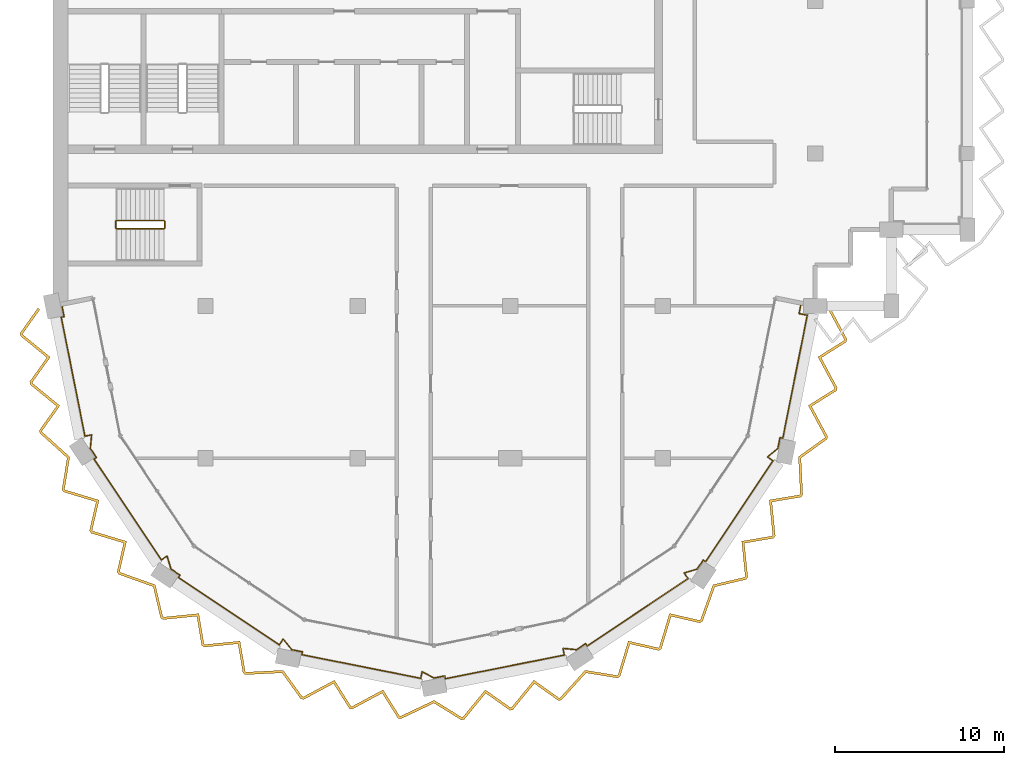
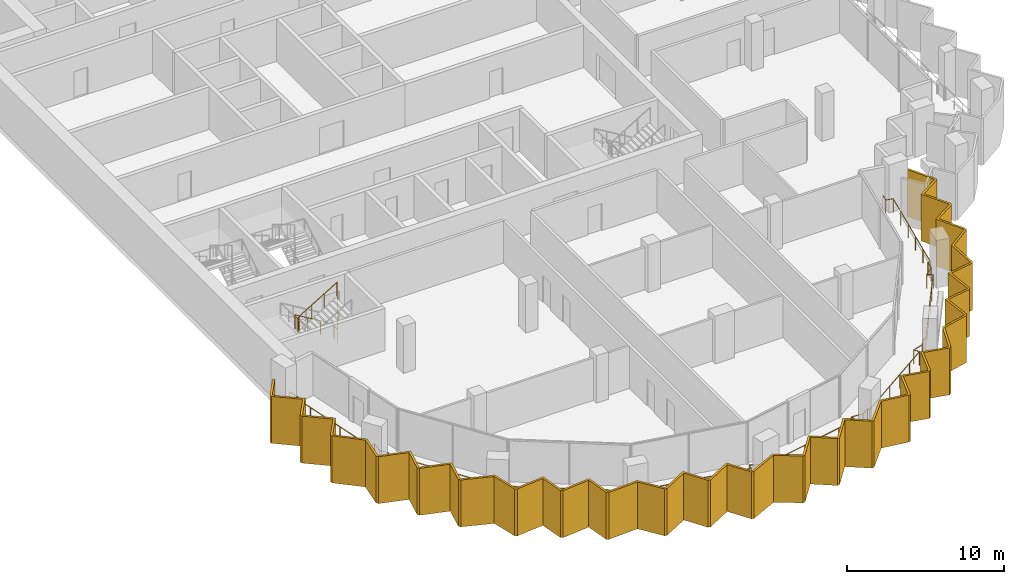
# One storey, part 12 of 14: 2 railings, 1 shading device.
"""IFC4 building model written with IfcOpenShell, lengths in metres."""

from ifc_helpers import new_model, si_unit, direction, frame, origin, origin_2d, place, context, subcontext, project, spatial, polyline, circle, outline, extrude, material, layer, layer_set, type_object, element, save


model = new_model("IFC4")

# Units and contexts
model_context = context("Model", 3, precision=1e-05, world=origin(), true_north=direction((0.0, 1.0)))
body_context = subcontext(model_context, "Body", "Model", "MODEL_VIEW")
ifc_project = project(units=[si_unit("LENGTHUNIT", "METRE"), si_unit("AREAUNIT", "SQUARE_METRE"), si_unit("VOLUMEUNIT", "CUBIC_METRE"), si_unit("PLANEANGLEUNIT", "RADIAN"), si_unit("MASSUNIT", "GRAM", prefix="KILO")], contexts=[model_context])

# Site, building, storey
site_placement = place(None, origin())
site = spatial("IfcSite", under=ifc_project, at=site_placement, CompositionType="ELEMENT")
building_placement = place(site_placement, origin())
building = spatial("IfcBuilding", under=site, at=building_placement, Name="Hunhe Ridgeline Campus", CompositionType="ELEMENT")
storey_placement = place(building_placement, frame((0.0, 0.0, 288.199951171875)))
storey = spatial("IfcBuildingStorey", under=building, at=storey_placement, Name="L74", CompositionType="ELEMENT", Elevation=288.199951171875)

# Railing
ifc_material_1 = material(Name="Steel Q355", Category="steel")
railing_type_1 = type_object("IfcRailingType", Name="Loggia guard 1100 Steel Q355", PredefinedType="GUARDRAIL", material=ifc_material_1)
railing_1_placement = place(storey_placement, frame((0.510009765625, 54.1015625, 0.0)))
element("IfcRailing", 1, at=railing_1_placement, inside=storey, type_object=railing_type_1, Name="Loggia guard 1", PredefinedType="GUARDRAIL", context=body_context, shape_type="SweptSolid", body=[
    extrude(circle(Radius=0.02392578125, at=origin_2d()), frame((0.0, 0.0, 1.076171875), z_axis=(0.194989189992, -0.980805391393, 0.0), x_axis=(0.980805391393, 0.194989189992, 0.0)), (0.0, 0.0, 1.0), 0.75),
    extrude(circle(Radius=0.02392578125, at=origin_2d()), frame((0.146240234375, -0.735595703125, 1.076171875), z_axis=(-0.980746010965, -0.195287639079, 0.0), x_axis=(0.195287639079, -0.980746010965, 0.0)), (0.0, 0.0, 1.0), 0.169921875),
    extrude(circle(Radius=0.02392578125, at=origin_2d()), frame((-0.0205078125, -0.768798828125, 1.076171875), z_axis=(0.195099694312, -0.980783416091, 0.0), x_axis=(0.980783416091, 0.195099694312, 0.0)), (0.0, 0.0, 1.0), 7.160400390625),
    extrude(circle(Radius=0.02392578125, at=origin_2d()), frame((1.37646484375, -7.79150390625, 1.076171875), z_axis=(0.980720044729, 0.195417997808, 0.0), x_axis=(-0.195417997808, 0.980720044729, 0.0)), (0.0, 0.0, 1.0), 0.403564453125),
    extrude(circle(Radius=0.02392578125, at=origin_2d()), frame((1.772216796875, -7.712646484375, 1.076171875), z_axis=(-0.09944331471, -0.995043228789, 0.0), x_axis=(0.995043228789, -0.09944331471, 0.0)), (0.0, 0.0, 1.0), 0.80029296875),
    extrude(circle(Radius=0.02392578125, at=origin_2d()), frame((1.692626953125, -8.509033203125, 1.076171875), z_axis=(0.555484244868, -0.831527061318, 0.0), x_axis=(0.831527061318, 0.555484244868, 0.0)), (0.0, 0.0, 1.0), 0.646484375),
    extrude(circle(Radius=0.02392578125, at=origin_2d()), frame((2.0517578125, -9.046630859375, 1.076171875), z_axis=(-0.831386976724, -0.555693885997, 0.0), x_axis=(0.555693885997, -0.831386976724, 0.0)), (0.0, 0.0, 1.0), 0.169921875),
    extrude(circle(Radius=0.02392578125, at=origin_2d()), frame((1.910400390625, -9.14111328125, 1.076171875), z_axis=(0.555581168767, -0.831462305166, 0.0), x_axis=(0.831462305166, 0.555581168767, 0.0)), (0.0, 0.0, 1.0), 7.16015625),
    extrude(circle(Radius=0.02392578125, at=origin_2d()), frame((5.888427734375, -15.094482421875, 1.076171875), z_axis=(0.831491262241, 0.555537830231, 0.0), x_axis=(-0.555537830231, 0.831491262241, 0.0)), (0.0, 0.0, 1.0), 0.4033203125),
    extrude(circle(Radius=0.02392578125, at=origin_2d()), frame((6.223876953125, -14.870361328125, 1.076171875), z_axis=(0.288914906809, -0.957354780958, 0.0), x_axis=(0.957354780958, 0.288914906809, 0.0)), (0.0, 0.0, 1.0), 0.80029296875),
    extrude(circle(Radius=0.02392578125, at=origin_2d()), frame((6.455078125, -15.636474609375, 1.076171875), z_axis=(0.831352632543, -0.555745265714, 0.0), x_axis=(0.555745265714, 0.831352632543, 0.0)), (0.0, 0.0, 1.0), 0.646728515625),
    extrude(circle(Radius=0.02392578125, at=origin_2d()), frame((6.99267578125, -15.995849609375, 1.076171875), z_axis=(-0.555693885997, -0.831386976724, 0.0), x_axis=(0.831386976724, -0.555693885997, 0.0)), (0.0, 0.0, 1.0), 0.169921875),
    extrude(circle(Radius=0.02392578125, at=origin_2d()), frame((6.898193359375, -16.13720703125, 1.076171875), z_axis=(0.831478056194, -0.555557595635, 0.0), x_axis=(0.555557595635, 0.831478056194, 0.0)), (0.0, 0.0, 1.0), 7.159912109375),
    extrude(circle(Radius=0.02392578125, at=origin_2d()), frame((12.8515625, -20.114990234375, 1.076171875), z_axis=(0.555956014138, 0.831211712107, 0.0), x_axis=(-0.831211712107, 0.555956014138, 0.0)), (0.0, 0.0, 1.0), 0.403564453125),
    extrude(circle(Radius=0.02392578125, at=origin_2d()), frame((13.075927734375, -19.779541015625, 1.076171875), z_axis=(0.633104861372, -0.774066040146, 0.0), x_axis=(0.774066040146, 0.633104861372, 0.0)), (0.0, 0.0, 1.0), 0.800048828125),
    extrude(circle(Radius=0.02392578125, at=origin_2d()), frame((13.58251953125, -20.39892578125, 1.076171875), z_axis=(0.980754587978, -0.195244559871, 0.0), x_axis=(0.195244559871, 0.980754587978, 0.0)), (0.0, 0.0, 1.0), 0.646484375),
    extrude(circle(Radius=0.02392578125, at=origin_2d()), frame((14.216552734375, -20.525146484375, 1.076171875), z_axis=(-0.193905883508, -0.981020136562, 0.0), x_axis=(0.981020136562, -0.193905883508, 0.0)), (0.0, 0.0, 1.0), 0.169921875),
    extrude(circle(Radius=0.02392578125, at=origin_2d()), frame((14.18359375, -20.69189453125, 1.076171875), z_axis=(0.980782118184, -0.195106218893, 0.0), x_axis=(0.195106218893, 0.980782118184, 0.0)), (0.0, 0.0, 1.0), 7.16015625),
    extrude(circle(Radius=0.02392578125, at=origin_2d()), frame((21.2060546875, -22.0888671875, 1.076171875), z_axis=(0.194720424654, 0.980858785057, 0.0), x_axis=(-0.980858785057, 0.194720424654, 0.0)), (0.0, 0.0, 1.0), 0.40380859375),
    extrude(circle(Radius=0.02392578125, at=origin_2d()), frame((21.28466796875, -21.69287109375, 1.076171875), z_axis=(0.881185062436, -0.472771494211, 0.0), x_axis=(0.472771494211, 0.881185062436, 0.0)), (0.0, 0.0, 1.0), 0.800537109375),
    extrude(circle(Radius=0.02392578125, at=origin_2d()), frame((21.989990234375, -22.0712890625, 1.076171875), z_axis=(0.980826840908, 0.194881266811, 0.0), x_axis=(-0.194881266811, 0.980826840908, 0.0)), (0.0, 0.0, 1.0), 0.646484375),
    extrude(circle(Radius=0.02392578125, at=origin_2d()), frame((22.6240234375, -21.9453125, 1.076171875), z_axis=(0.195287639079, -0.980746010965, 0.0), x_axis=(0.980746010965, 0.195287639079, 0.0)), (0.0, 0.0, 1.0), 0.169921875),
    extrude(circle(Radius=0.02392578125, at=origin_2d()), frame((22.6572265625, -22.112060546875, 1.076171875), z_axis=(0.980783416091, 0.195099694312, 0.0), x_axis=(-0.195099694312, 0.980783416091, 0.0)), (0.0, 0.0, 1.0), 7.160400390625),
    extrude(circle(Radius=0.02392578125, at=origin_2d()), frame((29.679931640625, -20.715087890625, 1.076171875), z_axis=(-0.195417997808, 0.980720044729, 0.0), x_axis=(-0.980720044729, -0.195417997808, 0.0)), (0.0, 0.0, 1.0), 0.403564453125),
    extrude(circle(Radius=0.02392578125, at=origin_2d()), frame((29.60107421875, -20.3193359375, 1.076171875), z_axis=(0.995043228789, -0.09944331471, 0.0), x_axis=(0.09944331471, 0.995043228789, 0.0)), (0.0, 0.0, 1.0), 0.80029296875),
    extrude(circle(Radius=0.02392578125, at=origin_2d()), frame((30.3974609375, -20.39892578125, 1.076171875), z_axis=(0.831527061318, 0.555484244868, 0.0), x_axis=(-0.555484244868, 0.831527061318, 0.0)), (0.0, 0.0, 1.0), 0.646484375),
    extrude(circle(Radius=0.02392578125, at=origin_2d()), frame((30.93505859375, -20.039794921875, 1.076171875), z_axis=(0.555693885997, -0.831386976724, 0.0), x_axis=(0.831386976724, 0.555693885997, 0.0)), (0.0, 0.0, 1.0), 0.169921875),
    extrude(circle(Radius=0.02392578125, at=origin_2d()), frame((31.029541015625, -20.18115234375, 1.076171875), z_axis=(0.831462305166, 0.555581168767, 0.0), x_axis=(-0.555581168767, 0.831462305166, 0.0)), (0.0, 0.0, 1.0), 7.16015625),
    extrude(circle(Radius=0.02392578125, at=origin_2d()), frame((36.98291015625, -16.203125, 1.076171875), z_axis=(-0.555537830231, 0.831491262241, 0.0), x_axis=(-0.831491262241, -0.555537830231, 0.0)), (0.0, 0.0, 1.0), 0.4033203125),
    extrude(circle(Radius=0.02392578125, at=origin_2d()), frame((36.7587890625, -15.86767578125, 1.076171875), z_axis=(0.957354780958, 0.288914906809, 0.0), x_axis=(-0.288914906809, 0.957354780958, 0.0)), (0.0, 0.0, 1.0), 0.80029296875),
    extrude(circle(Radius=0.02392578125, at=origin_2d()), frame((37.52490234375, -15.636474609375, 1.076171875), z_axis=(0.555745265714, 0.831352632543, 0.0), x_axis=(-0.831352632543, 0.555745265714, 0.0)), (0.0, 0.0, 1.0), 0.646728515625),
    extrude(circle(Radius=0.02392578125, at=origin_2d()), frame((37.88427734375, -15.098876953125, 1.076171875), z_axis=(0.831386976724, -0.555693885997, 0.0), x_axis=(0.555693885997, 0.831386976724, 0.0)), (0.0, 0.0, 1.0), 0.169921875),
    extrude(circle(Radius=0.02392578125, at=origin_2d()), frame((38.025634765625, -15.193359375, 1.076171875), z_axis=(0.555557595635, 0.831478056194, 0.0), x_axis=(-0.831478056194, 0.555557595635, 0.0)), (0.0, 0.0, 1.0), 7.159912109375),
    extrude(circle(Radius=0.02392578125, at=origin_2d()), frame((42.00341796875, -9.239990234375, 1.076171875), z_axis=(-0.831211712107, 0.555956014138, 0.0), x_axis=(-0.555956014138, -0.831211712107, 0.0)), (0.0, 0.0, 1.0), 0.403564453125),
    extrude(circle(Radius=0.02392578125, at=origin_2d()), frame((41.66796875, -9.015625, 1.076171875), z_axis=(0.774066040146, 0.633104861372, 0.0), x_axis=(-0.633104861372, 0.774066040146, 0.0)), (0.0, 0.0, 1.0), 0.800048828125),
    extrude(circle(Radius=0.02392578125, at=origin_2d()), frame((42.287353515625, -8.509033203125, 1.076171875), z_axis=(0.195244559871, 0.980754587978, 0.0), x_axis=(-0.980754587978, 0.195244559871, 0.0)), (0.0, 0.0, 1.0), 0.646484375),
    extrude(circle(Radius=0.02392578125, at=origin_2d()), frame((42.41357421875, -7.875, 1.076171875), z_axis=(0.981020136562, -0.193905883508, 0.0), x_axis=(0.193905883508, 0.981020136562, 0.0)), (0.0, 0.0, 1.0), 0.169921875),
    extrude(circle(Radius=0.02392578125, at=origin_2d()), frame((42.580322265625, -7.907958984375, 1.076171875), z_axis=(0.195088338544, 0.980785674938, 0.0), x_axis=(-0.980785674938, 0.195088338544, 0.0)), (0.0, 0.0, 1.0), 7.40087890625),
    extrude(circle(Radius=0.02392578125, at=origin_2d()), frame((44.024169921875, -0.649169921875, 1.076171875), z_axis=(-0.980789056368, 0.195071337999, 0.0), x_axis=(-0.195071337999, -0.980789056368, 0.0)), (0.0, 0.0, 1.0), 0.494384765625),
    extrude(circle(Radius=0.02392578125, at=origin_2d()), frame((43.539306640625, -0.552734375, 1.076171875), z_axis=(0.195144205131, 0.980774560847, 0.0), x_axis=(-0.980774560847, 0.195144205131, 0.0)), (0.0, 0.0, 1.0), 0.6279296875),
    extrude(circle(Radius=0.02099609375, at=origin_2d()), origin(), (0.0, 0.0, 1.0), 1.052001953125),
    extrude(circle(Radius=0.02099609375, at=origin_2d()), frame((0.146240234375, -0.735595703125, 0.0)), (0.0, 0.0, 1.0), 1.052001953125),
    extrude(circle(Radius=0.02099609375, at=origin_2d()), frame((-0.0205078125, -0.768798828125, 0.0)), (0.0, 0.0, 1.0), 1.052001953125),
    extrude(circle(Radius=0.02099609375, at=origin_2d()), frame((0.2587890625, -2.17333984375, 0.0)), (0.0, 0.0, 1.0), 1.052001953125),
    extrude(circle(Radius=0.02099609375, at=origin_2d()), frame((0.538330078125, -3.577880859375, 0.0)), (0.0, 0.0, 1.0), 1.052001953125),
    extrude(circle(Radius=0.02099609375, at=origin_2d()), frame((0.817626953125, -4.982421875, 0.0)), (0.0, 0.0, 1.0), 1.052001953125),
    extrude(circle(Radius=0.02099609375, at=origin_2d()), frame((1.09716796875, -6.386962890625, 0.0)), (0.0, 0.0, 1.0), 1.052001953125),
    extrude(circle(Radius=0.02099609375, at=origin_2d()), frame((1.37646484375, -7.79150390625, 0.0)), (0.0, 0.0, 1.0), 1.052001953125),
    extrude(circle(Radius=0.02099609375, at=origin_2d()), frame((1.772216796875, -7.712646484375, 0.0)), (0.0, 0.0, 1.0), 1.052001953125),
    extrude(circle(Radius=0.02099609375, at=origin_2d()), frame((1.692626953125, -8.509033203125, 0.0)), (0.0, 0.0, 1.0), 1.052001953125),
    extrude(circle(Radius=0.02099609375, at=origin_2d()), frame((2.0517578125, -9.046630859375, 0.0)), (0.0, 0.0, 1.0), 1.052001953125),
    extrude(circle(Radius=0.02099609375, at=origin_2d()), frame((1.910400390625, -9.14111328125, 0.0)), (0.0, 0.0, 1.0), 1.052001953125),
    extrude(circle(Radius=0.02099609375, at=origin_2d()), frame((2.7060546875, -10.331787109375, 0.0)), (0.0, 0.0, 1.0), 1.052001953125),
    extrude(circle(Radius=0.02099609375, at=origin_2d()), frame((3.501708984375, -11.5224609375, 0.0)), (0.0, 0.0, 1.0), 1.052001953125),
    extrude(circle(Radius=0.02099609375, at=origin_2d()), frame((4.297119140625, -12.713134765625, 0.0)), (0.0, 0.0, 1.0), 1.052001953125),
    extrude(circle(Radius=0.02099609375, at=origin_2d()), frame((5.0927734375, -13.90380859375, 0.0)), (0.0, 0.0, 1.0), 1.052001953125),
    extrude(circle(Radius=0.02099609375, at=origin_2d()), frame((5.888427734375, -15.094482421875, 0.0)), (0.0, 0.0, 1.0), 1.052001953125),
    extrude(circle(Radius=0.02099609375, at=origin_2d()), frame((6.223876953125, -14.870361328125, 0.0)), (0.0, 0.0, 1.0), 1.052001953125),
    extrude(circle(Radius=0.02099609375, at=origin_2d()), frame((6.455078125, -15.636474609375, 0.0)), (0.0, 0.0, 1.0), 1.052001953125),
    extrude(circle(Radius=0.02099609375, at=origin_2d()), frame((6.99267578125, -15.995849609375, 0.0)), (0.0, 0.0, 1.0), 1.052001953125),
    extrude(circle(Radius=0.02099609375, at=origin_2d()), frame((6.898193359375, -16.13720703125, 0.0)), (0.0, 0.0, 1.0), 1.052001953125),
    extrude(circle(Radius=0.02099609375, at=origin_2d()), frame((8.0888671875, -16.932861328125, 0.0)), (0.0, 0.0, 1.0), 1.052001953125),
    extrude(circle(Radius=0.02099609375, at=origin_2d()), frame((9.279541015625, -17.728271484375, 0.0)), (0.0, 0.0, 1.0), 1.052001953125),
    extrude(circle(Radius=0.02099609375, at=origin_2d()), frame((10.47021484375, -18.52392578125, 0.0)), (0.0, 0.0, 1.0), 1.052001953125),
    extrude(circle(Radius=0.02099609375, at=origin_2d()), frame((11.660888671875, -19.3193359375, 0.0)), (0.0, 0.0, 1.0), 1.052001953125),
    extrude(circle(Radius=0.02099609375, at=origin_2d()), frame((12.8515625, -20.114990234375, 0.0)), (0.0, 0.0, 1.0), 1.052001953125),
    extrude(circle(Radius=0.02099609375, at=origin_2d()), frame((13.075927734375, -19.779541015625, 0.0)), (0.0, 0.0, 1.0), 1.052001953125),
    extrude(circle(Radius=0.02099609375, at=origin_2d()), frame((13.58251953125, -20.39892578125, 0.0)), (0.0, 0.0, 1.0), 1.052001953125),
    extrude(circle(Radius=0.02099609375, at=origin_2d()), frame((14.216552734375, -20.525146484375, 0.0)), (0.0, 0.0, 1.0), 1.052001953125),
    extrude(circle(Radius=0.02099609375, at=origin_2d()), frame((14.18359375, -20.69189453125, 0.0)), (0.0, 0.0, 1.0), 1.052001953125),
    extrude(circle(Radius=0.02099609375, at=origin_2d()), frame((15.588134765625, -20.97119140625, 0.0)), (0.0, 0.0, 1.0), 1.052001953125),
    extrude(circle(Radius=0.02099609375, at=origin_2d()), frame((16.99267578125, -21.250732421875, 0.0)), (0.0, 0.0, 1.0), 1.052001953125),
    extrude(circle(Radius=0.02099609375, at=origin_2d()), frame((18.39697265625, -21.530029296875, 0.0)), (0.0, 0.0, 1.0), 1.052001953125),
    extrude(circle(Radius=0.02099609375, at=origin_2d()), frame((19.801513671875, -21.8095703125, 0.0)), (0.0, 0.0, 1.0), 1.052001953125),
    extrude(circle(Radius=0.02099609375, at=origin_2d()), frame((21.2060546875, -22.0888671875, 0.0)), (0.0, 0.0, 1.0), 1.052001953125),
    extrude(circle(Radius=0.02099609375, at=origin_2d()), frame((21.28466796875, -21.69287109375, 0.0)), (0.0, 0.0, 1.0), 1.052001953125),
    extrude(circle(Radius=0.02099609375, at=origin_2d()), frame((21.989990234375, -22.0712890625, 0.0)), (0.0, 0.0, 1.0), 1.052001953125),
    extrude(circle(Radius=0.02099609375, at=origin_2d()), frame((22.6240234375, -21.9453125, 0.0)), (0.0, 0.0, 1.0), 1.052001953125),
    extrude(circle(Radius=0.02099609375, at=origin_2d()), frame((22.6572265625, -22.112060546875, 0.0)), (0.0, 0.0, 1.0), 1.052001953125),
    extrude(circle(Radius=0.02099609375, at=origin_2d()), frame((24.061767578125, -21.832763671875, 0.0)), (0.0, 0.0, 1.0), 1.052001953125),
    extrude(circle(Radius=0.02099609375, at=origin_2d()), frame((25.46630859375, -21.55322265625, 0.0)), (0.0, 0.0, 1.0), 1.052001953125),
    extrude(circle(Radius=0.02099609375, at=origin_2d()), frame((26.870849609375, -21.27392578125, 0.0)), (0.0, 0.0, 1.0), 1.052001953125),
    extrude(circle(Radius=0.02099609375, at=origin_2d()), frame((28.275390625, -20.994384765625, 0.0)), (0.0, 0.0, 1.0), 1.052001953125),
    extrude(circle(Radius=0.02099609375, at=origin_2d()), frame((29.679931640625, -20.715087890625, 0.0)), (0.0, 0.0, 1.0), 1.052001953125),
    extrude(circle(Radius=0.02099609375, at=origin_2d()), frame((29.60107421875, -20.3193359375, 0.0)), (0.0, 0.0, 1.0), 1.052001953125),
    extrude(circle(Radius=0.02099609375, at=origin_2d()), frame((30.3974609375, -20.39892578125, 0.0)), (0.0, 0.0, 1.0), 1.052001953125),
    extrude(circle(Radius=0.02099609375, at=origin_2d()), frame((30.93505859375, -20.039794921875, 0.0)), (0.0, 0.0, 1.0), 1.052001953125),
    extrude(circle(Radius=0.02099609375, at=origin_2d()), frame((31.029541015625, -20.18115234375, 0.0)), (0.0, 0.0, 1.0), 1.052001953125),
    extrude(circle(Radius=0.02099609375, at=origin_2d()), frame((32.22021484375, -19.385498046875, 0.0)), (0.0, 0.0, 1.0), 1.052001953125),
    extrude(circle(Radius=0.02099609375, at=origin_2d()), frame((33.410888671875, -18.58984375, 0.0)), (0.0, 0.0, 1.0), 1.052001953125),
    extrude(circle(Radius=0.02099609375, at=origin_2d()), frame((34.6015625, -17.79443359375, 0.0)), (0.0, 0.0, 1.0), 1.052001953125),
    extrude(circle(Radius=0.02099609375, at=origin_2d()), frame((35.792236328125, -16.998779296875, 0.0)), (0.0, 0.0, 1.0), 1.052001953125),
    extrude(circle(Radius=0.02099609375, at=origin_2d()), frame((36.98291015625, -16.203125, 0.0)), (0.0, 0.0, 1.0), 1.052001953125),
    extrude(circle(Radius=0.02099609375, at=origin_2d()), frame((36.7587890625, -15.86767578125, 0.0)), (0.0, 0.0, 1.0), 1.052001953125),
    extrude(circle(Radius=0.02099609375, at=origin_2d()), frame((37.52490234375, -15.636474609375, 0.0)), (0.0, 0.0, 1.0), 1.052001953125),
    extrude(circle(Radius=0.02099609375, at=origin_2d()), frame((37.88427734375, -15.098876953125, 0.0)), (0.0, 0.0, 1.0), 1.052001953125),
    extrude(circle(Radius=0.02099609375, at=origin_2d()), frame((38.025634765625, -15.193359375, 0.0)), (0.0, 0.0, 1.0), 1.052001953125),
    extrude(circle(Radius=0.02099609375, at=origin_2d()), frame((38.8212890625, -14.002685546875, 0.0)), (0.0, 0.0, 1.0), 1.052001953125),
    extrude(circle(Radius=0.02099609375, at=origin_2d()), frame((39.61669921875, -12.81201171875, 0.0)), (0.0, 0.0, 1.0), 1.052001953125),
    extrude(circle(Radius=0.02099609375, at=origin_2d()), frame((40.412353515625, -11.621337890625, 0.0)), (0.0, 0.0, 1.0), 1.052001953125),
    extrude(circle(Radius=0.02099609375, at=origin_2d()), frame((41.207763671875, -10.4306640625, 0.0)), (0.0, 0.0, 1.0), 1.052001953125),
    extrude(circle(Radius=0.02099609375, at=origin_2d()), frame((42.00341796875, -9.239990234375, 0.0)), (0.0, 0.0, 1.0), 1.052001953125),
    extrude(circle(Radius=0.02099609375, at=origin_2d()), frame((41.66796875, -9.015625, 0.0)), (0.0, 0.0, 1.0), 1.052001953125),
    extrude(circle(Radius=0.02099609375, at=origin_2d()), frame((42.287353515625, -8.509033203125, 0.0)), (0.0, 0.0, 1.0), 1.052001953125),
    extrude(circle(Radius=0.02099609375, at=origin_2d()), frame((42.41357421875, -7.875, 0.0)), (0.0, 0.0, 1.0), 1.052001953125),
    extrude(circle(Radius=0.02099609375, at=origin_2d()), frame((42.580322265625, -7.907958984375, 0.0)), (0.0, 0.0, 1.0), 1.052001953125),
    extrude(circle(Radius=0.02099609375, at=origin_2d()), frame((42.869140625, -6.456298828125, 0.0)), (0.0, 0.0, 1.0), 1.052001953125),
    extrude(circle(Radius=0.02099609375, at=origin_2d()), frame((43.157958984375, -5.00439453125, 0.0)), (0.0, 0.0, 1.0), 1.052001953125),
    extrude(circle(Radius=0.02099609375, at=origin_2d()), frame((43.446533203125, -3.552734375, 0.0)), (0.0, 0.0, 1.0), 1.052001953125),
    extrude(circle(Radius=0.02099609375, at=origin_2d()), frame((43.7353515625, -2.100830078125, 0.0)), (0.0, 0.0, 1.0), 1.052001953125),
    extrude(circle(Radius=0.02099609375, at=origin_2d()), frame((44.024169921875, -0.649169921875, 0.0)), (0.0, 0.0, 1.0), 1.052001953125),
    extrude(circle(Radius=0.02099609375, at=origin_2d()), frame((43.539306640625, -0.552734375, 0.0)), (0.0, 0.0, 1.0), 1.052001953125),
    extrude(circle(Radius=0.02099609375, at=origin_2d()), frame((43.661865234375, 0.063232421875, 0.0)), (0.0, 0.0, 1.0), 1.052001953125),
])

# Shading device
ifc_material_2 = material(Name="Concrete C50", Category="concrete")
ifc_layer = layer(ifc_material_2, 0.14990234375)
ifc_layer_set = layer_set([ifc_layer], Name="Sawtooth concrete fin 150 Concrete C50")
shading_device_type = type_object("IfcShadingDeviceType", Name="Sawtooth concrete fin 150 Concrete C50", PredefinedType="USERDEFINED", material=ifc_layer_set)
shading_device_placement = place(storey_placement, frame((0.0, 0.0, -0.949951171875)))
element("IfcShadingDevice", 2, at=shading_device_placement, inside=storey, type_object=shading_device_type, Name="Concrete fin screen 1", ObjectType="FIN", PredefinedType="USERDEFINED", context=body_context, shape_type="SweptSolid", body=[
    extrude(outline(polyline([(-0.77197265625, 53.790771484375), (-0.89404296875, 53.877685546875), (-1.94873046875, 52.395263671875), (-1.913818359375, 52.219482421875), (-0.36376953125, 50.950439453125), (-1.377685546875, 49.525146484375), (-1.3427734375, 49.349365234375), (0.20703125, 48.080322265625), (-0.806884765625, 46.655029296875), (-0.772216796875, 46.481201171875), (0.83203125, 45.030029296875), (0.528076171875, 43.158935546875), (0.6259765625, 43.01220703125), (2.54345703125, 42.43310546875), (2.15234375, 40.72802734375), (2.251953125, 40.5791015625), (4.16943359375, 39.999755859375), (3.778076171875, 38.294921875), (3.87646484375, 38.147705078125), (5.9140625, 37.4208984375), (6.349365234375, 35.575927734375), (6.495849609375, 35.477783203125), (8.489013671875, 35.676513671875), (8.780029296875, 33.95166015625), (8.92919921875, 33.85205078125), (10.92236328125, 34.05078125), (11.213134765625, 32.325927734375), (11.360595703125, 32.227294921875), (13.521240234375, 32.335693359375), (14.62939453125, 30.797607421875), (14.80224609375, 30.76318359375), (16.567626953125, 31.70947265625), (17.49658203125, 30.227294921875), (17.67236328125, 30.1923828125), (19.437744140625, 31.138671875), (20.36669921875, 29.656494140625), (20.54052734375, 29.621826171875), (22.495361328125, 30.548828125), (24.107666015625, 29.5517578125), (24.280517578125, 29.586181640625), (25.549560546875, 31.13623046875), (26.974853515625, 30.122314453125), (27.150634765625, 30.1572265625), (28.419677734375, 31.70703125), (29.844970703125, 30.693115234375), (30.018798828125, 30.727783203125), (31.469970703125, 32.33203125), (33.341064453125, 32.028076171875), (33.48779296875, 32.1259765625), (34.06689453125, 34.04345703125), (35.77197265625, 33.65234375), (35.9208984375, 33.751953125), (36.500244140625, 35.66943359375), (38.205078125, 35.278076171875), (38.352294921875, 35.37646484375), (39.0791015625, 37.4140625), (40.924072265625, 37.849365234375), (41.022216796875, 37.995849609375), (40.823486328125, 39.989013671875), (42.54833984375, 40.280029296875), (42.64794921875, 40.42919921875), (42.44921875, 42.42236328125), (44.174072265625, 42.713134765625), (44.272705078125, 42.860595703125), (44.164306640625, 45.021240234375), (45.702392578125, 46.12939453125), (45.73681640625, 46.30224609375), (44.79052734375, 48.067626953125), (46.272705078125, 48.99658203125), (46.3076171875, 49.17236328125), (45.361328125, 50.937744140625), (46.843505859375, 51.86669921875), (46.878662109375, 52.04248046875), (45.899169921875, 53.86962890625), (45.766845703125, 53.798828125), (46.720947265625, 52.01904296875), (46.708984375, 51.95947265625), (45.162841796875, 50.990478515625), (46.150146484375, 49.14892578125), (46.13818359375, 49.08935546875), (44.592041015625, 48.120361328125), (45.5791015625, 46.27880859375), (45.566650390625, 46.216552734375), (44.010498046875, 45.09521484375), (44.120361328125, 42.902587890625), (44.08544921875, 42.850341796875), (42.2861328125, 42.546875), (42.493408203125, 40.4677734375), (42.459716796875, 40.417236328125), (40.660400390625, 40.11376953125), (40.86767578125, 38.03466796875), (40.832275390625, 37.981689453125), (38.96533203125, 37.54150390625), (38.227783203125, 35.4736328125), (38.175537109375, 35.438720703125), (36.39697265625, 35.846923828125), (35.79296875, 33.8466796875), (35.742431640625, 33.81298828125), (33.9638671875, 34.22119140625), (33.359619140625, 32.220947265625), (33.306884765625, 32.185546875), (31.41357421875, 32.4931640625), (29.94091796875, 30.864990234375), (29.879150390625, 30.852783203125), (28.392333984375, 31.91064453125), (27.068603515625, 30.293701171875), (27.009033203125, 30.281982421875), (25.522216796875, 31.339599609375), (24.198486328125, 29.722900390625), (24.13623046875, 29.71044921875), (22.504638671875, 30.71923828125), (20.52099609375, 29.778564453125), (20.45947265625, 29.791015625), (19.490478515625, 31.337158203125), (17.64892578125, 30.349853515625), (17.58935546875, 30.36181640625), (16.620361328125, 31.907958984375), (14.77880859375, 30.9208984375), (14.716552734375, 30.933349609375), (13.59521484375, 32.489501953125), (11.402587890625, 32.379638671875), (11.350341796875, 32.41455078125), (11.046875, 34.2138671875), (8.9677734375, 34.006591796875), (8.917236328125, 34.040283203125), (8.61376953125, 35.839599609375), (6.53466796875, 35.63232421875), (6.481689453125, 35.667724609375), (6.04150390625, 37.53466796875), (3.9736328125, 38.272216796875), (3.938720703125, 38.324462890625), (4.346923828125, 40.10302734375), (2.3466796875, 40.70703125), (2.31298828125, 40.757568359375), (2.72119140625, 42.5361328125), (0.720947265625, 43.140380859375), (0.685546875, 43.193115234375), (0.9931640625, 45.08642578125), (-0.635009765625, 46.55908203125), (-0.647216796875, 46.620849609375), (0.41064453125, 48.107666015625), (-1.206298828125, 49.431396484375), (-1.218017578125, 49.490966796875), (-0.160400390625, 50.977783203125), (-1.777099609375, 52.301513671875), (-1.7890625, 52.361083984375), (-0.77197265625, 53.790771484375)])), origin(), (0.0, 0.0, 1.0), 3.64990234375),
])

# Railing
ifc_material_3 = material(Name="Stainless steel balustrade", Category="steel")
railing_type_2 = type_object("IfcRailingType", Name="Stair guard 1100 stainless", PredefinedType="GUARDRAIL", material=ifc_material_3)
railing_2_placement = place(storey_placement, frame((6.550048828125, 59.050048828125, 0.168212890625)))
element("IfcRailing", 3, at=railing_2_placement, inside=storey, type_object=railing_type_2, Name="L74 stair W2 guard", PredefinedType="GUARDRAIL", context=body_context, shape_type="SweptSolid", body=[
    extrude(circle(Radius=0.02392578125, at=origin_2d()), frame((0.0, 0.0, 1.076171875), z_axis=(-0.857242210791, 0.0, 0.514913383045), x_axis=(0.0, -1.0, 0.0)), (0.0, 0.0, 1.0), 3.266357421875),
    extrude(circle(Radius=0.02392578125, at=origin_2d()), frame((-2.800048828125, 0.0, 2.7578125), z_axis=(-0.707106781187, -0.707106781187, 0.0), x_axis=(0.707106781187, -0.707106781187, 0.0)), (0.0, 0.0, 1.0), 0.07080078125),
    extrude(circle(Radius=0.02392578125, at=origin_2d()), frame((-2.85009765625, -0.050048828125, 2.7578125), z_axis=(0.0, -1.0, 0.0), x_axis=(1.0, 0.0, 0.0)), (0.0, 0.0, 1.0), 0.39990234375),
    extrude(circle(Radius=0.02392578125, at=origin_2d()), frame((-2.85009765625, -0.449951171875, 2.7578125), z_axis=(0.274243871929, -0.274243871929, 0.92172696468), x_axis=(0.707106781187, 0.707106781187, 0.0)), (0.0, 0.0, 1.0), 0.1826171875),
    extrude(circle(Radius=0.02392578125, at=origin_2d()), frame((-2.800048828125, -0.5, 2.92626953125), z_axis=(0.857275202839, 0.0, 0.514858452973), x_axis=(0.0, 1.0, 0.0)), (0.0, 0.0, 1.0), 3.26611328125),
    extrude(circle(Radius=0.02392578125, at=origin_2d()), frame((0.0, -0.5, 4.60791015625), z_axis=(0.013524414389, 0.013524414389, -0.999817073484), x_axis=(-0.707106781187, 0.707106781187, 0.0)), (0.0, 0.0, 1.0), 3.70068359375),
    extrude(circle(Radius=0.02392578125, at=origin_2d()), frame((0.050048828125, -0.449951171875, 0.90771484375), z_axis=(0.0, 1.0, 0.0), x_axis=(-1.0, 0.0, 0.0)), (0.0, 0.0, 1.0), 0.39990234375),
    extrude(circle(Radius=0.02099609375, at=origin_2d()), origin(), (0.0, 0.0, 1.0), 1.052001953125),
    extrude(circle(Radius=0.02099609375, at=origin_2d()), frame((-0.933349609375, 0.0, 0.560546875)), (0.0, 0.0, 1.0), 1.052001953125),
    extrude(circle(Radius=0.02099609375, at=origin_2d()), frame((-1.86669921875, 0.0, 1.121337890625)), (0.0, 0.0, 1.0), 1.052001953125),
    extrude(circle(Radius=0.02099609375, at=origin_2d()), frame((-2.800048828125, 0.0, 1.681884765625)), (0.0, 0.0, 1.0), 1.052001953125),
    extrude(circle(Radius=0.02099609375, at=origin_2d()), frame((-2.85009765625, -0.050048828125, 1.681884765625)), (0.0, 0.0, 1.0), 1.052001953125),
    extrude(circle(Radius=0.02099609375, at=origin_2d()), frame((-2.85009765625, -0.449951171875, 1.681884765625)), (0.0, 0.0, 1.0), 1.052001953125),
    extrude(circle(Radius=0.02099609375, at=origin_2d()), frame((-2.800048828125, -0.5, 1.85009765625)), (0.0, 0.0, 1.0), 1.052001953125),
    extrude(circle(Radius=0.02099609375, at=origin_2d()), frame((-1.86669921875, -0.5, 2.41064453125)), (0.0, 0.0, 1.0), 1.052001953125),
    extrude(circle(Radius=0.02099609375, at=origin_2d()), frame((-0.933349609375, -0.5, 2.97119140625)), (0.0, 0.0, 1.0), 1.052001953125),
    extrude(circle(Radius=0.02099609375, at=origin_2d()), frame((0.0, -0.5, 3.53173828125)), (0.0, 0.0, 1.0), 1.052001953125),
    extrude(circle(Radius=0.02099609375, at=origin_2d()), frame((0.012451171875, -0.487548828125, 2.606689453125)), (0.0, 0.0, 1.0), 1.052001953125),
    extrude(circle(Radius=0.02099609375, at=origin_2d()), frame((0.02490234375, -0.47509765625, 1.681640625)), (0.0, 0.0, 1.0), 1.052001953125),
    extrude(circle(Radius=0.02099609375, at=origin_2d()), frame((0.03759765625, -0.46240234375, 0.7568359375)), (0.0, 0.0, 1.0), 1.052001953125),
    extrude(circle(Radius=0.02099609375, at=origin_2d()), frame((0.050048828125, -0.449951171875, -0.168212890625)), (0.0, 0.0, 1.0), 1.052001953125),
    extrude(circle(Radius=0.02099609375, at=origin_2d()), frame((0.050048828125, -0.050048828125, -0.168212890625)), (0.0, 0.0, 1.0), 1.052001953125),
])

save(model, "model.ifc")
